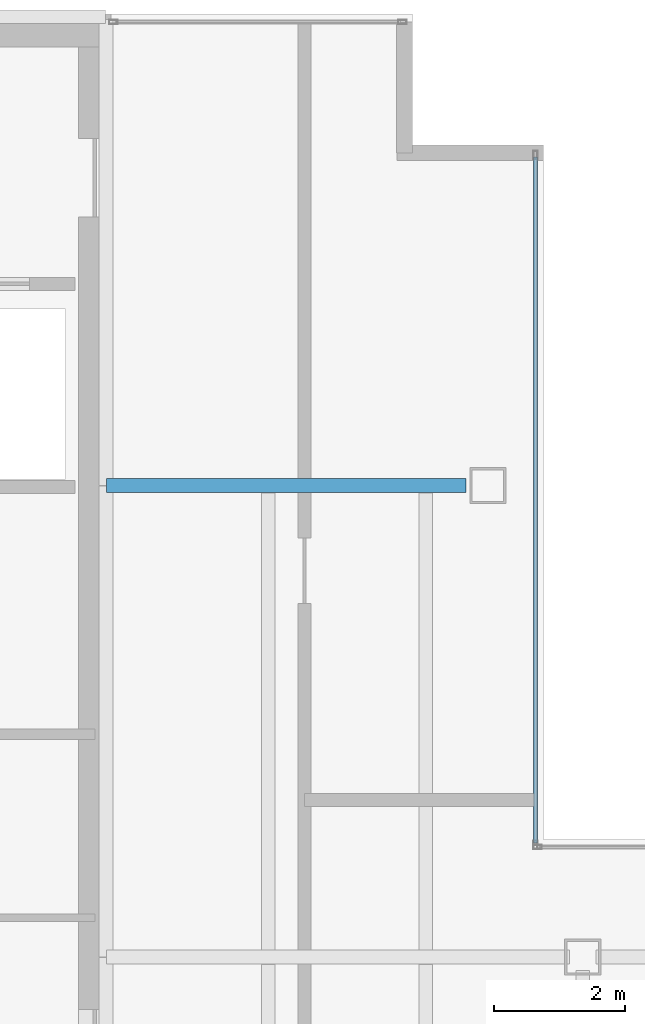
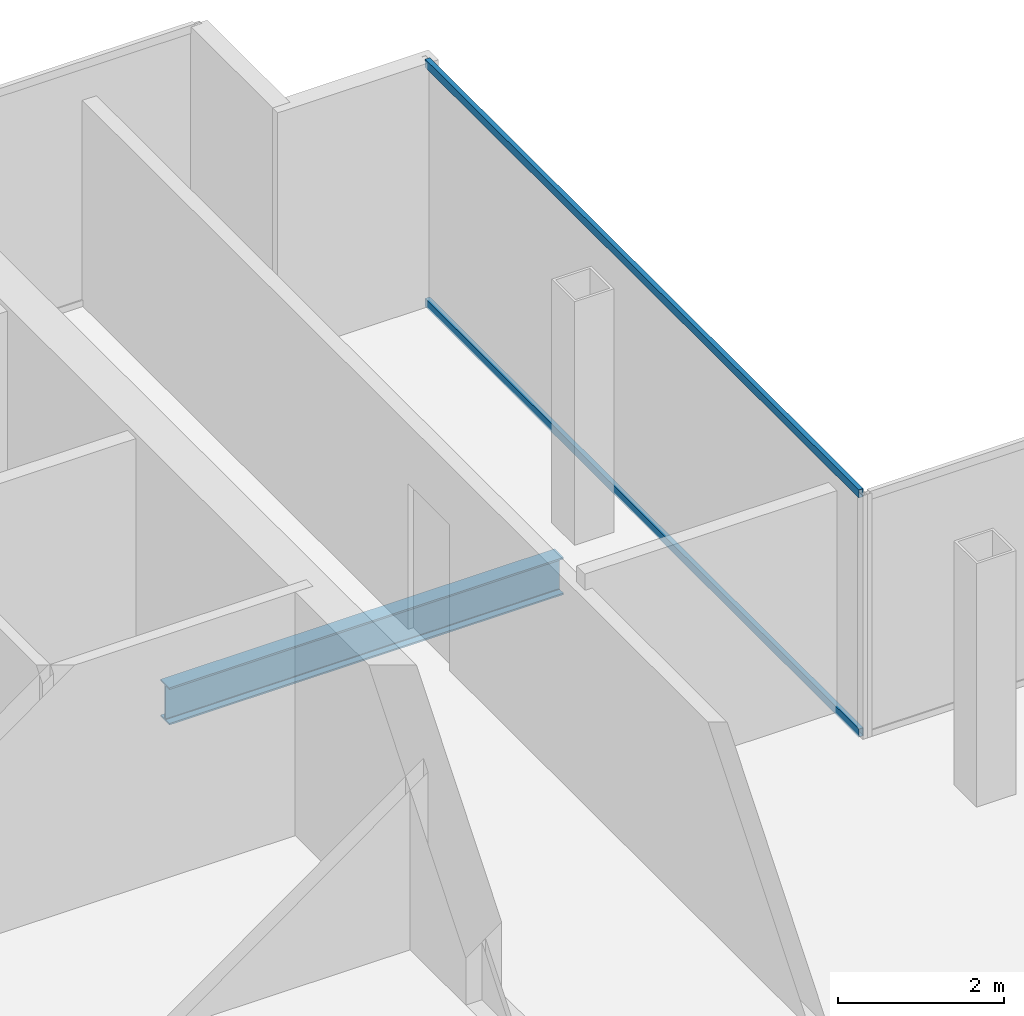
# One storey, part 10 of 16: 2 members, 1 beam, 1 element without a shape of its own.
"""IFC4 building model written with IfcOpenShell, lengths in metres."""

from ifc_helpers import new_model, si_unit, direction, frame, origin, origin_2d, place, context, subcontext, project, spatial, hollow_rectangle, i_section, extrude, material, material_profile, profile_set, type_object, element, aggregate, save


model = new_model("IFC4")

# Units and contexts
model_context = context("Model", 3, precision=1e-05, world=origin(), true_north=direction((0.0, 1.0)))
body_context = subcontext(model_context, "Body", "Model", "MODEL_VIEW")
ifc_project = project(units=[si_unit("LENGTHUNIT", "METRE"), si_unit("AREAUNIT", "SQUARE_METRE"), si_unit("VOLUMEUNIT", "CUBIC_METRE"), si_unit("PLANEANGLEUNIT", "RADIAN"), si_unit("MASSUNIT", "GRAM", prefix="KILO")], contexts=[model_context])

# Site, building, storey
site_placement = place(None, origin())
site = spatial("IfcSite", under=ifc_project, at=site_placement, CompositionType="ELEMENT")
building_placement = place(site_placement, origin())
building = spatial("IfcBuilding", under=site, at=building_placement, Name="Cobrela Telecom Tower", CompositionType="ELEMENT")
storey_placement = place(building_placement, frame((0.0, 0.0, 293.64990234375)))
storey = spatial("IfcBuildingStorey", under=building, at=storey_placement, Name="L77", CompositionType="ELEMENT", Elevation=293.64990234375)

# Beam
ifc_material_1 = material(Name="Steel ASTM A992 Grade 50", Category="steel")
ifc_material_profile_1 = material_profile(ifc_material_1, i_section(OverallWidth=0.212890625, OverallDepth=0.549072265625, WebThickness=0.0146484375, FlangeThickness=0.023681640625, FilletRadius=0.013916015625, at=origin_2d()), Name="W21X93")
ifc_profile_set_1 = profile_set([ifc_material_profile_1], Name="Steel ASTM A992 Grade 50")
beam_type = type_object("IfcBeamType", Name="BM-GIRD-08", PredefinedType="USERDEFINED", material=ifc_profile_set_1)
beam_placement = place(storey_placement, frame((14.324951171875, 28.800048828125, -0.534423828125), z_axis=(1.0, 0.0, 0.0), x_axis=(0.0, 1.0, 0.0)))
element("IfcBeam", 1, at=beam_placement, inside=storey, type_object=beam_type, Name="L77 Primary Girder X08", ObjectType="GIRDER", PredefinedType="USERDEFINED", context=body_context, shape_type="SweptSolid", body=[
    extrude(i_section(OverallWidth=0.212890625, OverallDepth=0.549072265625, WebThickness=0.0146484375, FlangeThickness=0.023681640625, FilletRadius=0.013916015625, at=origin_2d()), origin(), (0.0, 0.0, 1.0), 5.4951171875),
])

# Curtain wall, members
ifc_material_2 = material(Name="Anodized Bronze Aluminium 6063-T6", Category="aluminium")
curtain_wall_type = type_object("IfcCurtainWallType", Name="CW-SYS-DRUM", PredefinedType="USERDEFINED", material=ifc_material_2)
curtain_wall_placement = place(storey_placement, origin())
curtain_wall = element("IfcCurtainWall", 2, at=curtain_wall_placement, inside=storey, type_object=curtain_wall_type, Name="L77 Unitised Bronze Curtain Wall 04", ObjectType="UNITISED CURTAIN WALL", PredefinedType="USERDEFINED")
ifc_material_profile_2 = material_profile(ifc_material_2, hollow_rectangle(XDim=0.06494140625, YDim=0.1201171875, WallThickness=0.00390625, at=origin_2d()), Name="ALU 65x120x4")
ifc_profile_set_2 = profile_set([ifc_material_profile_2], Name="Anodized Bronze Aluminium 6063-T6")
member_type = type_object("IfcMemberType", Name="CW-SYS-DRUM-TRN", PredefinedType="USERDEFINED", material=ifc_profile_set_2)
member_1_placement = place(storey_placement, frame((20.8798828125, 33.81494140625, 0.03271484375), z_axis=(0.0, -1.0, 0.0), x_axis=(1.0, 0.0, 0.0)))
member_1 = element("IfcMember", 3, at=member_1_placement, type_object=member_type, Name="CW-DRUM transom 1.1", ObjectType="TRANSOM", PredefinedType="USERDEFINED", context=body_context, shape_type="SweptSolid", body=[
    extrude(hollow_rectangle(XDim=0.06494140625, YDim=0.1201171875, WallThickness=0.00390625, at=origin_2d()), origin(), (0.0, 0.0, 1.0), 10.469970703125),
])
member_2_placement = place(storey_placement, frame((20.8798828125, 33.81494140625, 3.5576171875), z_axis=(0.0, -1.0, 0.0), x_axis=(1.0, 0.0, 0.0)))
member_2 = element("IfcMember", 4, at=member_2_placement, type_object=member_type, Name="CW-DRUM transom 1.2", ObjectType="TRANSOM", PredefinedType="USERDEFINED", context=body_context, shape_type="SweptSolid", body=[
    extrude(hollow_rectangle(XDim=0.06494140625, YDim=0.1201171875, WallThickness=0.00390625, at=origin_2d()), origin(), (0.0, 0.0, 1.0), 10.469970703125),
])
aggregate(curtain_wall, [member_1, member_2])

save(model, "model.ifc")
